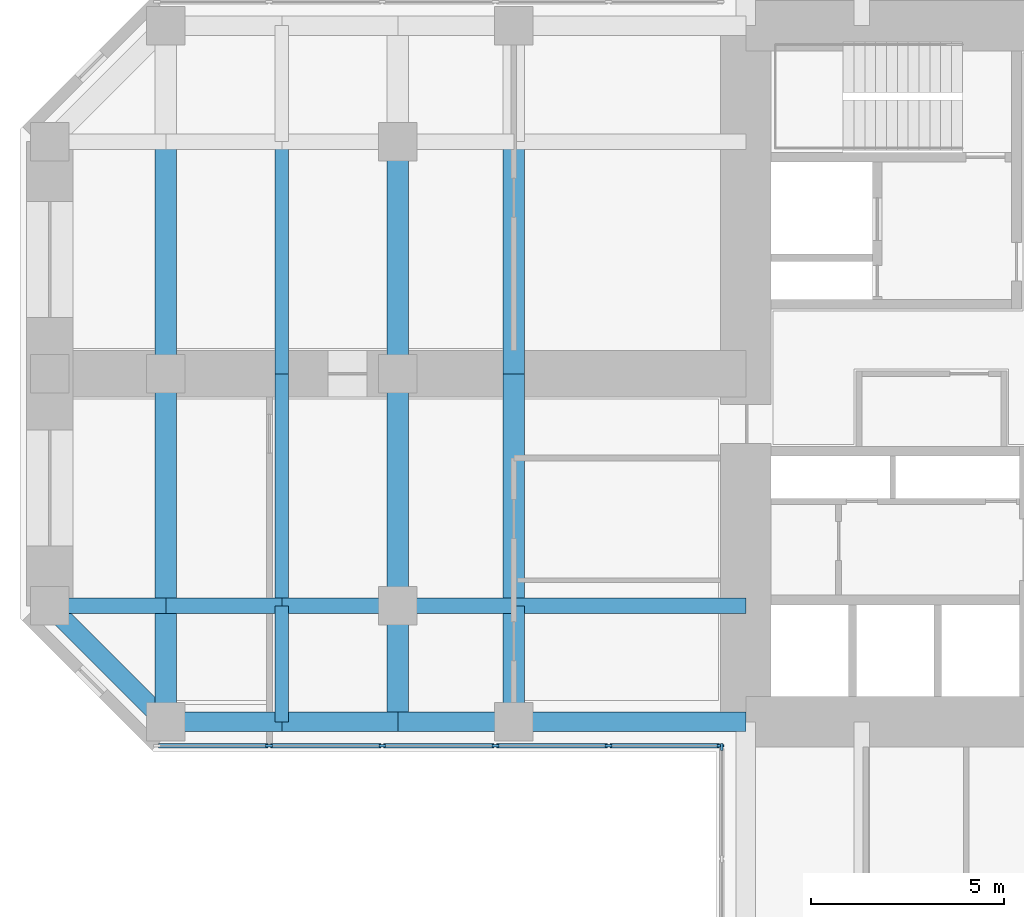
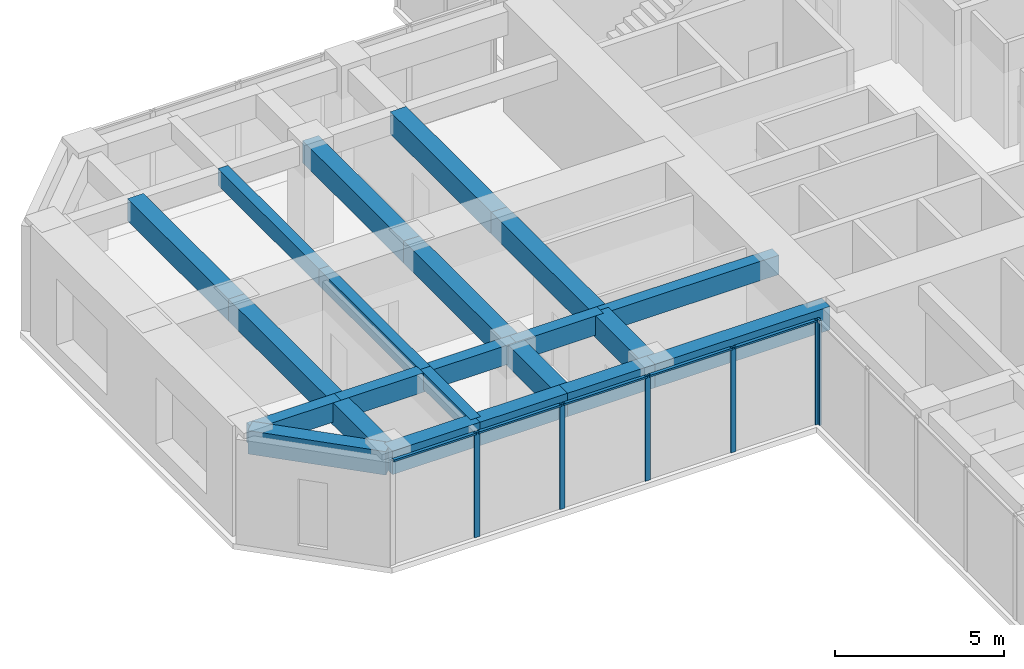
# One storey, part 3 of 12: 22 beams, 11 members, 2 elements without a shape of their own.
"""IFC4 building model written with IfcOpenShell, lengths in metres."""

from ifc_helpers import new_model, si_unit, direction, frame, origin, origin_2d, place, context, subcontext, project, spatial, rectangle, extrude, material, material_profile, profile_set, type_object, element, aggregate, save


model = new_model("IFC4")

# Units and contexts
model_context = context("Model", 3, precision=1e-05, world=origin(), true_north=direction((0.0, 1.0)))
body_context = subcontext(model_context, "Body", "Model", "MODEL_VIEW")
ifc_project = project(units=[si_unit("LENGTHUNIT", "METRE"), si_unit("AREAUNIT", "SQUARE_METRE"), si_unit("VOLUMEUNIT", "CUBIC_METRE"), si_unit("PLANEANGLEUNIT", "RADIAN"), si_unit("MASSUNIT", "GRAM", prefix="KILO")], contexts=[model_context])

# Site, building, storey
site_placement = place(None, origin())
site = spatial("IfcSite", under=ifc_project, at=site_placement, CompositionType="ELEMENT")
building_placement = place(site_placement, origin())
building = spatial("IfcBuilding", under=site, at=building_placement, Name="Torre Cruceta", CompositionType="ELEMENT")
storey_placement = place(building_placement, frame((0.0, 0.0, 140.5)))
storey = spatial("IfcBuildingStorey", under=building, at=storey_placement, Name="L34", CompositionType="ELEMENT", Elevation=140.5)

# Beams
ifc_material_1 = material(Name="Concrete G60 (fck 60 MPa)", Category="concrete")
ifc_material_profile_1 = material_profile(ifc_material_1, rectangle(XDim=0.39990234375, YDim=0.699951171875, at=origin_2d()), Name="RC 400X700")
ifc_profile_set_1 = profile_set([ifc_material_profile_1], Name="Concrete G60 (fck 60 MPa)")
beam_type_1 = type_object("IfcBeamType", Name="COLUMN LINE BEAM RC 400X700", PredefinedType="BEAM", material=ifc_profile_set_1)
beam_1_placement = place(storey_placement, frame((-9.0, -6.0, 3.449951171875), z_axis=(-1.0, 0.0, 0.0), x_axis=(0.0, -1.0, 0.0)))
element("IfcBeam", 1, at=beam_1_placement, inside=storey, type_object=beam_type_1, Name="LB5 L34 W col+ 1", PredefinedType="BEAM", context=body_context, shape_type="SweptSolid", body=[
    extrude(rectangle(XDim=0.39990234375, YDim=0.699951171875, at=origin_2d()), origin(), (0.0, 0.0, 1.0), 6.0),
])
for number, where, z_axis, x_axis, name in (
    (2, (-15.0, -6.0, 3.449951171875), (-1.0, 0.0, 0.0), (0.0, -1.0, 0.0), "LB5 L34 W col+ 2"),
    (3, (-18.0, -6.0, 3.449951171875), (-1.0, 0.0, 0.0), (0.0, -1.0, 0.0), "LB5 L34 W col+ 3"),
    (4, (-21.0, -6.0, 3.449951171875), (-1.0, 0.0, 0.0), (0.0, -1.0, 0.0), "LB5 L34 W col+ 4"),
    (5, (-24.0, -6.0, 3.449951171875), (-1.0, 0.0, 0.0), (0.0, -1.0, 0.0), "LB5 L34 W col+ 5"),
):
    element("IfcBeam", number, at=place(storey_placement, frame(where, z_axis=z_axis, x_axis=x_axis)), inside=storey, type_object=beam_type_1, Name=name, PredefinedType="BEAM", context=body_context, shape_type="SweptSolid", body=[
        extrude(rectangle(XDim=0.39990234375, YDim=0.699951171875, at=origin_2d()), origin(), (0.0, 0.0, 1.0), 3.0),
    ])
ifc_material_2 = material(Name="Concrete G60 (fck 60 MPa)", Category="concrete")
ifc_material_profile_2 = material_profile(ifc_material_2, rectangle(XDim=0.550048828125, YDim=0.800048828125, at=origin_2d()), Name="RC 550X800")
ifc_profile_set_2 = profile_set([ifc_material_profile_2], Name="Concrete G60 (fck 60 MPa)")
beam_type_2 = type_object("IfcBeamType", Name="CROSS BEAM RC 550X800", PredefinedType="BEAM", material=ifc_profile_set_2)
for number, where, z_axis, x_axis, name in (
    (6, (-15.0, 6.0, 3.39990234375), (0.0, -1.0, 0.0), (1.0, 0.0, 0.0), "GB5 L34 W cross15 2"),
    (7, (-15.0, 0.0, 3.39990234375), (0.0, -1.0, 0.0), (1.0, 0.0, 0.0), "GB5 L34 W cross15 3"),
):
    element("IfcBeam", number, at=place(storey_placement, frame(where, z_axis=z_axis, x_axis=x_axis)), inside=storey, type_object=beam_type_2, Name=name, PredefinedType="BEAM", context=body_context, shape_type="SweptSolid", body=[
        extrude(rectangle(XDim=0.550048828125, YDim=0.800048828125, at=origin_2d()), origin(), (0.0, 0.0, 1.0), 6.0),
    ])
beam_2_placement = place(storey_placement, frame((-15.0, -6.0, 3.39990234375), z_axis=(0.0, -1.0, 0.0), x_axis=(1.0, 0.0, 0.0)))
element("IfcBeam", 8, at=beam_2_placement, inside=storey, type_object=beam_type_2, Name="GB5 L34 W cross15 4", PredefinedType="BEAM", context=body_context, shape_type="SweptSolid", body=[
    extrude(rectangle(XDim=0.550048828125, YDim=0.800048828125, at=origin_2d()), origin(), (0.0, 0.0, 1.0), 3.0),
])
for number, where, z_axis, x_axis, name in (
    (9, (-18.0, 6.0, 3.39990234375), (0.0, -1.0, 0.0), (1.0, 0.0, 0.0), "GB5 L34 W cross18 2"),
    (10, (-18.0, 0.0, 3.39990234375), (0.0, -1.0, 0.0), (1.0, 0.0, 0.0), "GB5 L34 W cross18 3"),
):
    element("IfcBeam", number, at=place(storey_placement, frame(where, z_axis=z_axis, x_axis=x_axis)), inside=storey, type_object=beam_type_2, Name=name, PredefinedType="BEAM", context=body_context, shape_type="SweptSolid", body=[
        extrude(rectangle(XDim=0.550048828125, YDim=0.800048828125, at=origin_2d()), origin(), (0.0, 0.0, 1.0), 6.0),
    ])
beam_3_placement = place(storey_placement, frame((-18.0, -6.0, 3.39990234375), z_axis=(0.0, -1.0, 0.0), x_axis=(1.0, 0.0, 0.0)))
element("IfcBeam", 11, at=beam_3_placement, inside=storey, type_object=beam_type_2, Name="GB5 L34 W cross18 4", PredefinedType="BEAM", context=body_context, shape_type="SweptSolid", body=[
    extrude(rectangle(XDim=0.550048828125, YDim=0.800048828125, at=origin_2d()), origin(), (0.0, 0.0, 1.0), 3.0),
])
for number, where, z_axis, x_axis, name in (
    (12, (-24.0, 6.0, 3.39990234375), (0.0, -1.0, 0.0), (1.0, 0.0, 0.0), "GB5 L34 W cross24 2"),
    (13, (-24.0, 0.0, 3.39990234375), (0.0, -1.0, 0.0), (1.0, 0.0, 0.0), "GB5 L34 W cross24 3"),
):
    element("IfcBeam", number, at=place(storey_placement, frame(where, z_axis=z_axis, x_axis=x_axis)), inside=storey, type_object=beam_type_2, Name=name, PredefinedType="BEAM", context=body_context, shape_type="SweptSolid", body=[
        extrude(rectangle(XDim=0.550048828125, YDim=0.800048828125, at=origin_2d()), origin(), (0.0, 0.0, 1.0), 6.0),
    ])
beam_4_placement = place(storey_placement, frame((-24.0, -6.0, 3.39990234375), z_axis=(0.0, -1.0, 0.0), x_axis=(1.0, 0.0, 0.0)))
element("IfcBeam", 14, at=beam_4_placement, inside=storey, type_object=beam_type_2, Name="GB5 L34 W cross24 4", PredefinedType="BEAM", context=body_context, shape_type="SweptSolid", body=[
    extrude(rectangle(XDim=0.550048828125, YDim=0.800048828125, at=origin_2d()), origin(), (0.0, 0.0, 1.0), 3.0),
])

# Curtain wall, members
ifc_material_3 = material(Name="Aluminium unitised curtain wall", Category="aluminium")
curtain_wall_type = type_object("IfcCurtainWallType", Name="CURTAIN WALL CW-B OFFICE MID RISE", PredefinedType="USERDEFINED", material=ifc_material_3)
curtain_wall_1_placement = place(storey_placement, origin())
curtain_wall_1 = element("IfcCurtainWall", 15, at=curtain_wall_1_placement, inside=storey, type_object=curtain_wall_type, Name="CW-B L34 W side 14", ObjectType="UNITISED", PredefinedType="USERDEFINED")
ifc_material_4 = material(Name="Aluminium mullion", Category="aluminium")
ifc_material_profile_3 = material_profile(ifc_material_4, rectangle(XDim=0.06494140625, YDim=0.179931640625, at=origin_2d()), Name="AL 65X180")
ifc_profile_set_3 = profile_set([ifc_material_profile_3], Name="Aluminium mullion")
member_type_1 = type_object("IfcMemberType", Name="CW-B MULLION 65X180", PredefinedType="MULLION", material=ifc_profile_set_3)
member_1_placement = place(storey_placement, frame((-21.329345703125, -9.6201171875, 0.0), z_axis=(0.0, 0.0, 1.0), x_axis=(0.0, 1.0, 0.0)))
member_1 = element("IfcMember", 16, at=member_1_placement, type_object=member_type_1, Name="CW-B mullion 2", PredefinedType="MULLION", context=body_context, shape_type="SweptSolid", body=[
    extrude(rectangle(XDim=0.06494140625, YDim=0.179931640625, at=origin_2d()), origin(), (0.0, 0.0, 1.0), 3.800048828125),
])
member_2_placement = place(storey_placement, frame((-18.402099609375, -9.6201171875, 0.0), z_axis=(0.0, 0.0, 1.0), x_axis=(0.0, 1.0, 0.0)))
member_2 = element("IfcMember", 17, at=member_2_placement, type_object=member_type_1, Name="CW-B mullion 3", PredefinedType="MULLION", context=body_context, shape_type="SweptSolid", body=[
    extrude(rectangle(XDim=0.06494140625, YDim=0.179931640625, at=origin_2d()), origin(), (0.0, 0.0, 1.0), 3.800048828125),
])
member_3_placement = place(storey_placement, frame((-15.474609375, -9.6201171875, 0.0), z_axis=(0.0, 0.0, 1.0), x_axis=(0.0, 1.0, 0.0)))
member_3 = element("IfcMember", 18, at=member_3_placement, type_object=member_type_1, Name="CW-B mullion 4", PredefinedType="MULLION", context=body_context, shape_type="SweptSolid", body=[
    extrude(rectangle(XDim=0.06494140625, YDim=0.179931640625, at=origin_2d()), origin(), (0.0, 0.0, 1.0), 3.800048828125),
])
member_4_placement = place(storey_placement, frame((-12.54736328125, -9.6201171875, 0.0), z_axis=(0.0, 0.0, 1.0), x_axis=(0.0, 1.0, 0.0)))
member_4 = element("IfcMember", 19, at=member_4_placement, type_object=member_type_1, Name="CW-B mullion 5", PredefinedType="MULLION", context=body_context, shape_type="SweptSolid", body=[
    extrude(rectangle(XDim=0.06494140625, YDim=0.179931640625, at=origin_2d()), origin(), (0.0, 0.0, 1.0), 3.800048828125),
])
member_5_placement = place(storey_placement, frame((-9.652587890625, -9.6201171875, 0.0), z_axis=(0.0, 0.0, 1.0), x_axis=(0.0, 1.0, 0.0)))
member_5 = element("IfcMember", 20, at=member_5_placement, type_object=member_type_1, Name="CW-B mullion 6", PredefinedType="MULLION", context=body_context, shape_type="SweptSolid", body=[
    extrude(rectangle(XDim=0.06494140625, YDim=0.179931640625, at=origin_2d()), origin(), (0.0, 0.0, 1.0), 3.800048828125),
])

# Curtain wall, member
curtain_wall_2_placement = place(storey_placement, origin())
curtain_wall_2 = element("IfcCurtainWall", 21, at=curtain_wall_2_placement, inside=storey, type_object=curtain_wall_type, Name="CW-B L34 S side 15", ObjectType="UNITISED", PredefinedType="USERDEFINED")
member_6_placement = place(storey_placement, frame((-9.6201171875, -9.652587890625, 0.0), z_axis=(0.0, 0.0, 1.0), x_axis=(1.0, 0.0, 0.0)))
member_6 = element("IfcMember", 22, at=member_6_placement, type_object=member_type_1, Name="CW-B mullion 1", PredefinedType="MULLION", context=body_context, shape_type="SweptSolid", body=[
    extrude(rectangle(XDim=0.06494140625, YDim=0.179931640625, at=origin_2d()), origin(), (0.0, 0.0, 1.0), 3.800048828125),
])
aggregate(curtain_wall_2, [member_6])

# Member
ifc_material_5 = material(Name="Aluminium transom", Category="aluminium")
ifc_material_profile_4 = material_profile(ifc_material_5, rectangle(XDim=0.110107421875, YDim=0.06494140625, at=origin_2d()), Name="AL 110X65")
ifc_profile_set_4 = profile_set([ifc_material_profile_4], Name="Aluminium transom")
member_type_2 = type_object("IfcMemberType", Name="CW-B TRANSOM 65X110", PredefinedType="USERDEFINED", material=ifc_profile_set_4)
member_7_placement = place(storey_placement, frame((-24.19189453125, -9.6201171875, 3.767578125), z_axis=(1.0, 0.0, 0.0), x_axis=(0.0, 1.0, 0.0)))
member_7 = element("IfcMember", 23, at=member_7_placement, type_object=member_type_2, Name="CW-B transom 1", ObjectType="TRANSOM", PredefinedType="USERDEFINED", context=body_context, shape_type="SweptSolid", body=[
    extrude(rectangle(XDim=0.110107421875, YDim=0.06494140625, at=origin_2d()), origin(), (0.0, 0.0, 1.0), 2.829833984375),
])

member_8_placement = place(storey_placement, frame((-21.296875, -9.6201171875, 3.767578125), z_axis=(1.0, 0.0, 0.0), x_axis=(0.0, 1.0, 0.0)))
member_8 = element("IfcMember", 24, at=member_8_placement, type_object=member_type_2, Name="CW-B transom 2", ObjectType="TRANSOM", PredefinedType="USERDEFINED", context=body_context, shape_type="SweptSolid", body=[
    extrude(rectangle(XDim=0.110107421875, YDim=0.06494140625, at=origin_2d()), origin(), (0.0, 0.0, 1.0), 2.8623046875),
])

member_9_placement = place(storey_placement, frame((-18.36962890625, -9.6201171875, 3.767578125), z_axis=(1.0, 0.0, 0.0), x_axis=(0.0, 1.0, 0.0)))
member_9 = element("IfcMember", 25, at=member_9_placement, type_object=member_type_2, Name="CW-B transom 3", ObjectType="TRANSOM", PredefinedType="USERDEFINED", context=body_context, shape_type="SweptSolid", body=[
    extrude(rectangle(XDim=0.110107421875, YDim=0.06494140625, at=origin_2d()), origin(), (0.0, 0.0, 1.0), 2.8623046875),
])

member_10_placement = place(storey_placement, frame((-15.442138671875, -9.6201171875, 3.767578125), z_axis=(1.0, 0.0, 0.0), x_axis=(0.0, 1.0, 0.0)))
member_10 = element("IfcMember", 26, at=member_10_placement, type_object=member_type_2, Name="CW-B transom 4", ObjectType="TRANSOM", PredefinedType="USERDEFINED", context=body_context, shape_type="SweptSolid", body=[
    extrude(rectangle(XDim=0.110107421875, YDim=0.06494140625, at=origin_2d()), origin(), (0.0, 0.0, 1.0), 2.8623046875),
])

member_11_placement = place(storey_placement, frame((-12.514892578125, -9.6201171875, 3.767578125), z_axis=(1.0, 0.0, 0.0), x_axis=(0.0, 1.0, 0.0)))
member_11 = element("IfcMember", 27, at=member_11_placement, type_object=member_type_2, Name="CW-B transom 5", ObjectType="TRANSOM", PredefinedType="USERDEFINED", context=body_context, shape_type="SweptSolid", body=[
    extrude(rectangle(XDim=0.110107421875, YDim=0.06494140625, at=origin_2d()), origin(), (0.0, 0.0, 1.0), 2.829833984375),
])

aggregate(curtain_wall_1, [member_1, member_2, member_3, member_4, member_5, member_7, member_8, member_9, member_10, member_11])

# Beams
ifc_material_6 = material(Name="Concrete G60 (fck 60 MPa)", Category="concrete")
ifc_material_profile_5 = material_profile(ifc_material_6, rectangle(XDim=0.35009765625, YDim=0.60009765625, at=origin_2d()), Name="RC 350X600")
ifc_profile_set_5 = profile_set([ifc_material_profile_5], Name="Concrete G60 (fck 60 MPa)")
beam_type_3 = type_object("IfcBeamType", Name="SECONDARY BEAM RC 350X600", PredefinedType="JOIST", material=ifc_profile_set_5)
for number, where, z_axis, x_axis, name in (
    (28, (-21.0, 6.0, 3.5), (0.0, -1.0, 0.0), (1.0, 0.0, 0.0), "JB5 L34 W sec21 2"),
    (29, (-21.0, 0.0, 3.5), (0.0, -1.0, 0.0), (1.0, 0.0, 0.0), "JB5 L34 W sec21 3"),
):
    element("IfcBeam", number, at=place(storey_placement, frame(where, z_axis=z_axis, x_axis=x_axis)), inside=storey, type_object=beam_type_3, Name=name, PredefinedType="JOIST", context=body_context, shape_type="SweptSolid", body=[
        extrude(rectangle(XDim=0.35009765625, YDim=0.60009765625, at=origin_2d()), origin(), (0.0, 0.0, 1.0), 6.0),
    ])
beam_5_placement = place(storey_placement, frame((-21.0, -6.0, 3.5), z_axis=(0.0, -1.0, 0.0), x_axis=(1.0, 0.0, 0.0)))
element("IfcBeam", 30, at=beam_5_placement, inside=storey, type_object=beam_type_3, Name="JB5 L34 W sec21 4", PredefinedType="JOIST", context=body_context, shape_type="SweptSolid", body=[
    extrude(rectangle(XDim=0.35009765625, YDim=0.60009765625, at=origin_2d()), origin(), (0.0, 0.0, 1.0), 3.0),
])
ifc_material_7 = material(Name="Concrete G60 (fck 60 MPa)", Category="concrete")
ifc_material_profile_6 = material_profile(ifc_material_7, rectangle(XDim=0.5, YDim=0.85009765625, at=origin_2d()), Name="RC 500X850")
ifc_profile_set_6 = profile_set([ifc_material_profile_6], Name="Concrete G60 (fck 60 MPa)")
beam_type_4 = type_object("IfcBeamType", Name="SPANDREL BEAM RC 500X850", PredefinedType="SPANDREL", material=ifc_profile_set_6)
beam_6_placement = place(storey_placement, frame((-9.0, -9.0, 3.375), z_axis=(-1.0, 0.0, 0.0), x_axis=(0.0, -1.0, 0.0)))
element("IfcBeam", 31, at=beam_6_placement, inside=storey, type_object=beam_type_4, Name="SB5 L34 W side+ 1", PredefinedType="SPANDREL", context=body_context, shape_type="SweptSolid", body=[
    extrude(rectangle(XDim=0.5, YDim=0.85009765625, at=origin_2d()), origin(), (0.0, 0.0, 1.0), 6.0),
])
for number, where, z_axis, x_axis, name in (
    (32, (-15.0, -9.0, 3.375), (-1.0, 0.0, 0.0), (0.0, -1.0, 0.0), "SB5 L34 W side+ 2"),
    (33, (-18.0, -9.0, 3.375), (-1.0, 0.0, 0.0), (0.0, -1.0, 0.0), "SB5 L34 W side+ 3"),
    (34, (-21.0, -9.0, 3.375), (-1.0, 0.0, 0.0), (0.0, -1.0, 0.0), "SB5 L34 W side+ 4"),
):
    element("IfcBeam", number, at=place(storey_placement, frame(where, z_axis=z_axis, x_axis=x_axis)), inside=storey, type_object=beam_type_4, Name=name, PredefinedType="SPANDREL", context=body_context, shape_type="SweptSolid", body=[
        extrude(rectangle(XDim=0.5, YDim=0.85009765625, at=origin_2d()), origin(), (0.0, 0.0, 1.0), 3.0),
    ])
beam_7_placement = place(storey_placement, frame((-24.0, -9.0, 3.375), z_axis=(-0.707106781187, 0.707106781187, 0.0), x_axis=(-0.707106781187, -0.707106781187, 0.0)))
element("IfcBeam", 35, at=beam_7_placement, inside=storey, type_object=beam_type_4, Name="SB5 L34 W side+ 5", PredefinedType="SPANDREL", context=body_context, shape_type="SweptSolid", body=[
    extrude(rectangle(XDim=0.5, YDim=0.85009765625, at=origin_2d()), origin(), (0.0, 0.0, 1.0), 4.24267578125),
])

save(model, "model.ifc")
